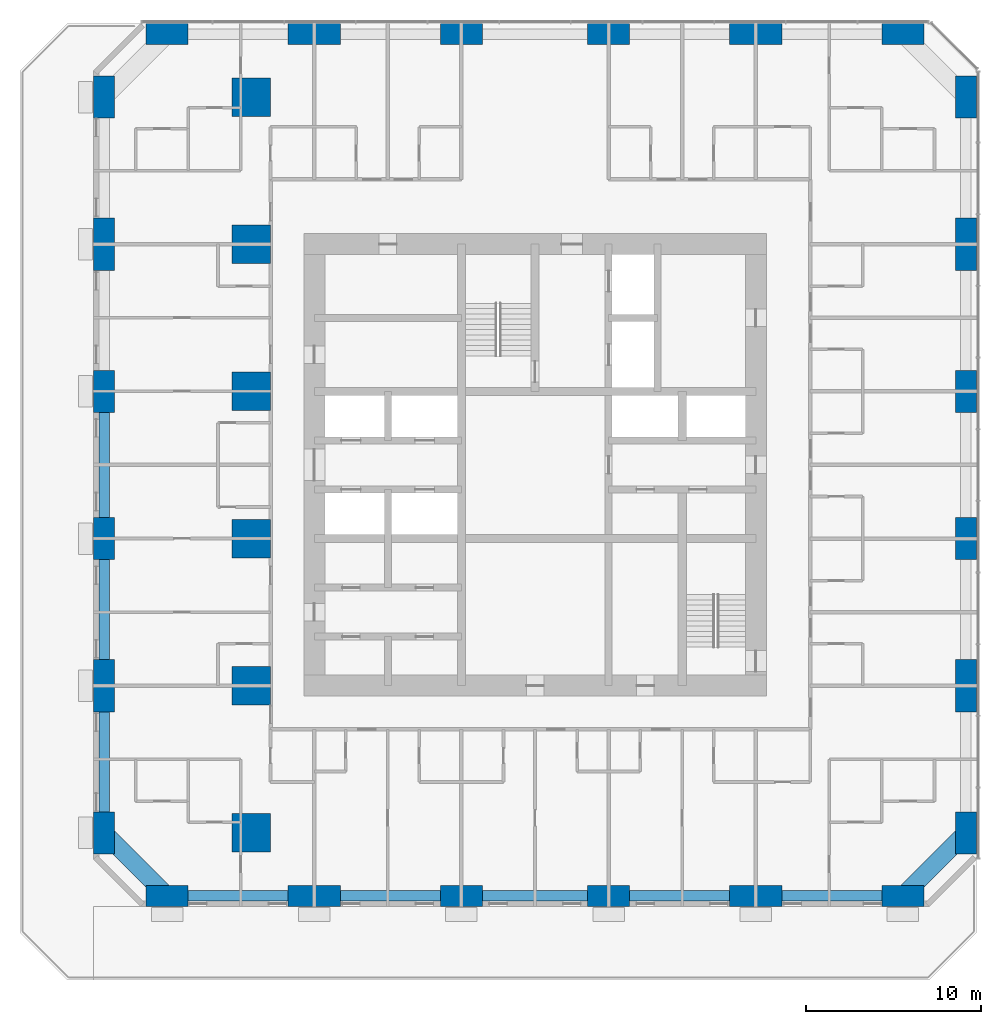
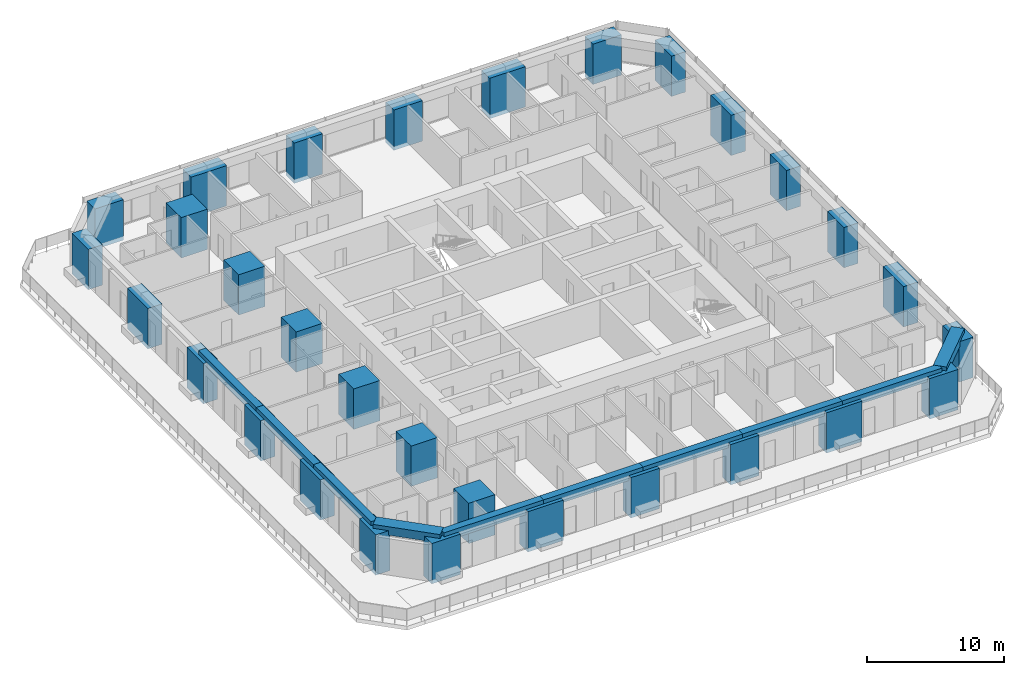
# One storey, part 1 of 14: 30 columns, 10 beams.
"""IFC4 building model written with IfcOpenShell, lengths in metres."""

from ifc_helpers import new_model, si_unit, direction, frame, origin, origin_2d, place, context, subcontext, project, spatial, rectangle, extrude, material, material_profile, profile_set, type_object, element, save


model = new_model("IFC4")

# Units and contexts
model_context = context("Model", 3, precision=1e-05, world=origin(), true_north=direction((0.0, 1.0)))
body_context = subcontext(model_context, "Body", "Model", "MODEL_VIEW")
ifc_project = project(units=[si_unit("LENGTHUNIT", "METRE"), si_unit("AREAUNIT", "SQUARE_METRE"), si_unit("VOLUMEUNIT", "CUBIC_METRE"), si_unit("PLANEANGLEUNIT", "RADIAN"), si_unit("MASSUNIT", "GRAM", prefix="KILO")], contexts=[model_context])

# Site, building, storey
site_placement = place(None, origin())
site = spatial("IfcSite", under=ifc_project, at=site_placement, CompositionType="ELEMENT")
building_placement = place(site_placement, origin())
building = spatial("IfcBuilding", under=site, at=building_placement, Name="Dunama Terrace Hotel", CompositionType="ELEMENT")
storey_placement = place(building_placement, frame((0.0, 0.0, 159.0)))
storey = spatial("IfcBuildingStorey", under=building, at=storey_placement, Name="L40", CompositionType="ELEMENT", Elevation=159.0)

# Columns
ifc_material_1 = material(Name="Concrete C60/75", Category="concrete")
ifc_material_profile_1 = material_profile(ifc_material_1, rectangle(XDim=1.199951171875, YDim=2.39990234375, at=origin_2d()), Name="RC 1200x2400")
ifc_profile_set_1 = profile_set([ifc_material_profile_1], Name="Concrete C60/75")
column_type_1 = type_object("IfcColumnType", Name="Column RC 1200x2400", PredefinedType="COLUMN", material=ifc_profile_set_1)
for number, where, z_axis, x_axis, name in (
    (1, (4.800048828125, 8.39990234375, -0.35009765625), (0.0, 0.0, 1.0), (1.0, 0.0, 0.0), "Column L40 +4.8/+8.4"),
    (2, (4.800048828125, 25.199951171875, -0.35009765625), (0.0, 0.0, 1.0), (1.0, 0.0, 0.0), "Column L40 +4.8/+25.2"),
    (3, (4.800048828125, 33.60009765625, -0.35009765625), (0.0, 0.0, 1.0), (1.0, 0.0, 0.0), "Column L40 +4.8/+33.6"),
    (4, (4.800048828125, 50.39990234375, -0.35009765625), (0.0, 0.0, 1.0), (1.0, 0.0, 0.0), "Column L40 +4.8/+50.4"),
    (5, (54.0, 8.39990234375, -0.35009765625), (0.0, 0.0, 1.0), (1.0, 0.0, 0.0), "Column L40 +54.0/+8.4"),
    (6, (54.0, 25.199951171875, -0.35009765625), (0.0, 0.0, 1.0), (1.0, 0.0, 0.0), "Column L40 +54.0/+25.2"),
    (7, (54.0, 33.60009765625, -0.35009765625), (0.0, 0.0, 1.0), (1.0, 0.0, 0.0), "Column L40 +54.0/+33.6"),
    (8, (54.0, 50.39990234375, -0.35009765625), (0.0, 0.0, 1.0), (1.0, 0.0, 0.0), "Column L40 +54.0/+50.4"),
):
    element("IfcColumn", number, at=place(storey_placement, frame(where, z_axis=z_axis, x_axis=x_axis)), inside=storey, type_object=column_type_1, Name=name, PredefinedType="COLUMN", context=body_context, shape_type="SweptSolid", body=[
        extrude(rectangle(XDim=1.199951171875, YDim=2.39990234375, at=origin_2d()), origin(), (0.0, 0.0, 1.0), 3.60009765625),
    ])
ifc_material_2 = material(Name="Concrete C60/75", Category="concrete")
ifc_material_profile_2 = material_profile(ifc_material_2, rectangle(XDim=1.199951171875, YDim=3.0, at=origin_2d()), Name="RC 1200x3000")
ifc_profile_set_2 = profile_set([ifc_material_profile_2], Name="Concrete C60/75")
column_type_2 = type_object("IfcColumnType", Name="Column RC 1200x3000", PredefinedType="COLUMN", material=ifc_profile_set_2)
for number, where, z_axis, x_axis, name in (
    (9, (4.800048828125, 16.800048828125, -0.35009765625), (0.0, 0.0, 1.0), (1.0, 0.0, 0.0), "Column L40 +4.8/+16.8"),
    (10, (4.800048828125, 42.0, -0.35009765625), (0.0, 0.0, 1.0), (1.0, 0.0, 0.0), "Column L40 +4.8/+42.0"),
    (11, (54.0, 16.800048828125, -0.35009765625), (0.0, 0.0, 1.0), (1.0, 0.0, 0.0), "Column L40 +54.0/+16.8"),
    (12, (54.0, 42.0, -0.35009765625), (0.0, 0.0, 1.0), (1.0, 0.0, 0.0), "Column L40 +54.0/+42.0"),
):
    element("IfcColumn", number, at=place(storey_placement, frame(where, z_axis=z_axis, x_axis=x_axis)), inside=storey, type_object=column_type_2, Name=name, PredefinedType="COLUMN", context=body_context, shape_type="SweptSolid", body=[
        extrude(rectangle(XDim=1.199951171875, YDim=3.0, at=origin_2d()), origin(), (0.0, 0.0, 1.0), 3.60009765625),
    ])
ifc_material_3 = material(Name="Concrete C60/75", Category="concrete")
ifc_material_profile_3 = material_profile(ifc_material_3, rectangle(XDim=2.199951171875, YDim=2.199951171875, at=origin_2d()), Name="RC 2200x2200")
ifc_profile_set_3 = profile_set([ifc_material_profile_3], Name="Concrete C60/75")
column_type_3 = type_object("IfcColumnType", Name="Column RC 2200x2200", PredefinedType="COLUMN", material=ifc_profile_set_3)
for number, where, z_axis, x_axis, name in (
    (13, (13.199951171875, 8.39990234375, -0.35009765625), (0.0, 0.0, 1.0), (1.0, 0.0, 0.0), "Column L40 +13.2/+8.4"),
    (14, (13.199951171875, 16.800048828125, -0.35009765625), (0.0, 0.0, 1.0), (1.0, 0.0, 0.0), "Column L40 +13.2/+16.8"),
    (15, (13.199951171875, 25.199951171875, -0.35009765625), (0.0, 0.0, 1.0), (1.0, 0.0, 0.0), "Column L40 +13.2/+25.2"),
    (16, (13.199951171875, 33.60009765625, -0.35009765625), (0.0, 0.0, 1.0), (1.0, 0.0, 0.0), "Column L40 +13.2/+33.6"),
    (17, (13.199951171875, 42.0, -0.35009765625), (0.0, 0.0, 1.0), (1.0, 0.0, 0.0), "Column L40 +13.2/+42.0"),
    (18, (13.199951171875, 50.39990234375, -0.35009765625), (0.0, 0.0, 1.0), (1.0, 0.0, 0.0), "Column L40 +13.2/+50.4"),
):
    element("IfcColumn", number, at=place(storey_placement, frame(where, z_axis=z_axis, x_axis=x_axis)), inside=storey, type_object=column_type_3, Name=name, PredefinedType="COLUMN", context=body_context, shape_type="SweptSolid", body=[
        extrude(rectangle(XDim=2.199951171875, YDim=2.199951171875, at=origin_2d()), origin(), (0.0, 0.0, 1.0), 3.60009765625),
    ])
ifc_material_4 = material(Name="Concrete C60/75", Category="concrete")
ifc_material_profile_4 = material_profile(ifc_material_4, rectangle(XDim=2.39990234375, YDim=1.199951171875, at=origin_2d()), Name="RC 2400x1200")
ifc_profile_set_4 = profile_set([ifc_material_profile_4], Name="Concrete C60/75")
column_type_4 = type_object("IfcColumnType", Name="Column RC 2400x1200", PredefinedType="COLUMN", material=ifc_profile_set_4)
for number, where, z_axis, x_axis, name in (
    (19, (8.39990234375, 4.800048828125, -0.35009765625), (0.0, 0.0, 1.0), (1.0, 0.0, 0.0), "Column L40 +8.4/+4.8"),
    (20, (8.39990234375, 54.0, -0.35009765625), (0.0, 0.0, 1.0), (1.0, 0.0, 0.0), "Column L40 +8.4/+54.0"),
    (21, (25.199951171875, 4.800048828125, -0.35009765625), (0.0, 0.0, 1.0), (1.0, 0.0, 0.0), "Column L40 +25.2/+4.8"),
    (22, (25.199951171875, 54.0, -0.35009765625), (0.0, 0.0, 1.0), (1.0, 0.0, 0.0), "Column L40 +25.2/+54.0"),
    (23, (33.60009765625, 4.800048828125, -0.35009765625), (0.0, 0.0, 1.0), (1.0, 0.0, 0.0), "Column L40 +33.6/+4.8"),
    (24, (33.60009765625, 54.0, -0.35009765625), (0.0, 0.0, 1.0), (1.0, 0.0, 0.0), "Column L40 +33.6/+54.0"),
    (25, (50.39990234375, 4.800048828125, -0.35009765625), (0.0, 0.0, 1.0), (1.0, 0.0, 0.0), "Column L40 +50.4/+4.8"),
    (26, (50.39990234375, 54.0, -0.35009765625), (0.0, 0.0, 1.0), (1.0, 0.0, 0.0), "Column L40 +50.4/+54.0"),
):
    element("IfcColumn", number, at=place(storey_placement, frame(where, z_axis=z_axis, x_axis=x_axis)), inside=storey, type_object=column_type_4, Name=name, PredefinedType="COLUMN", context=body_context, shape_type="SweptSolid", body=[
        extrude(rectangle(XDim=2.39990234375, YDim=1.199951171875, at=origin_2d()), origin(), (0.0, 0.0, 1.0), 3.60009765625),
    ])
ifc_material_5 = material(Name="Concrete C60/75", Category="concrete")
ifc_material_profile_5 = material_profile(ifc_material_5, rectangle(XDim=3.0, YDim=1.199951171875, at=origin_2d()), Name="RC 3000x1200")
ifc_profile_set_5 = profile_set([ifc_material_profile_5], Name="Concrete C60/75")
column_type_5 = type_object("IfcColumnType", Name="Column RC 3000x1200", PredefinedType="COLUMN", material=ifc_profile_set_5)
for number, where, z_axis, x_axis, name in (
    (27, (16.800048828125, 4.800048828125, -0.35009765625), (0.0, 0.0, 1.0), (1.0, 0.0, 0.0), "Column L40 +16.8/+4.8"),
    (28, (16.800048828125, 54.0, -0.35009765625), (0.0, 0.0, 1.0), (1.0, 0.0, 0.0), "Column L40 +16.8/+54.0"),
    (29, (42.0, 4.800048828125, -0.35009765625), (0.0, 0.0, 1.0), (1.0, 0.0, 0.0), "Column L40 +42.0/+4.8"),
    (30, (42.0, 54.0, -0.35009765625), (0.0, 0.0, 1.0), (1.0, 0.0, 0.0), "Column L40 +42.0/+54.0"),
):
    element("IfcColumn", number, at=place(storey_placement, frame(where, z_axis=z_axis, x_axis=x_axis)), inside=storey, type_object=column_type_5, Name=name, PredefinedType="COLUMN", context=body_context, shape_type="SweptSolid", body=[
        extrude(rectangle(XDim=3.0, YDim=1.199951171875, at=origin_2d()), origin(), (0.0, 0.0, 1.0), 3.60009765625),
    ])

# Beams
ifc_material_6 = material(Name="Concrete C50/60", Category="concrete")
ifc_material_profile_6 = material_profile(ifc_material_6, rectangle(XDim=1.0, YDim=0.75, at=origin_2d()), Name="RC 1000x750")
ifc_profile_set_6 = profile_set([ifc_material_profile_6], Name="Concrete C50/60")
beam_type_1 = type_object("IfcBeamType", Name="Edge beam RC 1000x750", PredefinedType="SPANDREL", material=ifc_profile_set_6)
for number, where, z_axis, x_axis, name in (
    (31, (8.39990234375, 4.800048828125, 3.22509765625), (-0.707106781187, 0.707106781187, 0.0), (-0.707106781187, -0.707106781187, 0.0), "Corner edge beam under L41"),
    (32, (50.39990234375, 4.800048828125, 3.22509765625), (0.707130757816, 0.707082803744, 0.0), (-0.707082803744, 0.707130757816, 0.0), "Corner edge beam under L41"),
):
    element("IfcBeam", number, at=place(storey_placement, frame(where, z_axis=z_axis, x_axis=x_axis)), inside=storey, type_object=beam_type_1, Name=name, PredefinedType="SPANDREL", context=body_context, shape_type="SweptSolid", body=[
        extrude(rectangle(XDim=1.0, YDim=0.75, at=origin_2d()), origin(), (0.0, 0.0, 1.0), 5.091064453125),
    ])
ifc_material_7 = material(Name="Concrete C40/50", Category="concrete")
ifc_material_profile_7 = material_profile(ifc_material_7, rectangle(XDim=0.60009765625, YDim=0.800048828125, at=origin_2d()), Name="RC 600x800")
ifc_profile_set_7 = profile_set([ifc_material_profile_7], Name="Concrete C40/50")
beam_type_2 = type_object("IfcBeamType", Name="Edge beam RC 600x800", PredefinedType="SPANDREL", material=ifc_profile_set_7)
beam_1_placement = place(storey_placement, frame((4.800048828125, 8.39990234375, 3.199951171875), z_axis=(0.0, 1.0, 0.0), x_axis=(-1.0, 0.0, 0.0)))
element("IfcBeam", 33, at=beam_1_placement, inside=storey, type_object=beam_type_2, Name="Edge beam under L41", PredefinedType="SPANDREL", context=body_context, shape_type="SweptSolid", body=[
    extrude(rectangle(XDim=0.60009765625, YDim=0.800048828125, at=origin_2d()), origin(), (0.0, 0.0, 1.0), 8.400146484375),
])
beam_2_placement = place(storey_placement, frame((4.800048828125, 16.800048828125, 3.199951171875), z_axis=(0.0, 1.0, 0.0), x_axis=(-1.0, 0.0, 0.0)))
element("IfcBeam", 34, at=beam_2_placement, inside=storey, type_object=beam_type_2, Name="Edge beam under L41", PredefinedType="SPANDREL", context=body_context, shape_type="SweptSolid", body=[
    extrude(rectangle(XDim=0.60009765625, YDim=0.800048828125, at=origin_2d()), origin(), (0.0, 0.0, 1.0), 8.39990234375),
])
for number, where, z_axis, x_axis, name in (
    (35, (4.800048828125, 25.199951171875, 3.199951171875), (0.0, 1.0, 0.0), (-1.0, 0.0, 0.0), "Edge beam under L41"),
    (36, (8.39990234375, 4.800048828125, 3.199951171875), (1.0, 0.0, 0.0), (0.0, 1.0, 0.0), "Edge beam under L41"),
):
    element("IfcBeam", number, at=place(storey_placement, frame(where, z_axis=z_axis, x_axis=x_axis)), inside=storey, type_object=beam_type_2, Name=name, PredefinedType="SPANDREL", context=body_context, shape_type="SweptSolid", body=[
        extrude(rectangle(XDim=0.60009765625, YDim=0.800048828125, at=origin_2d()), origin(), (0.0, 0.0, 1.0), 8.400146484375),
    ])
beam_3_placement = place(storey_placement, frame((16.800048828125, 4.800048828125, 3.199951171875), z_axis=(1.0, 0.0, 0.0), x_axis=(0.0, 1.0, 0.0)))
element("IfcBeam", 37, at=beam_3_placement, inside=storey, type_object=beam_type_2, Name="Edge beam under L41", PredefinedType="SPANDREL", context=body_context, shape_type="SweptSolid", body=[
    extrude(rectangle(XDim=0.60009765625, YDim=0.800048828125, at=origin_2d()), origin(), (0.0, 0.0, 1.0), 8.39990234375),
])
beam_4_placement = place(storey_placement, frame((25.199951171875, 4.800048828125, 3.199951171875), z_axis=(1.0, 0.0, 0.0), x_axis=(0.0, 1.0, 0.0)))
element("IfcBeam", 38, at=beam_4_placement, inside=storey, type_object=beam_type_2, Name="Edge beam under L41", PredefinedType="SPANDREL", context=body_context, shape_type="SweptSolid", body=[
    extrude(rectangle(XDim=0.60009765625, YDim=0.800048828125, at=origin_2d()), origin(), (0.0, 0.0, 1.0), 8.400146484375),
])
for number, where, z_axis, x_axis, name in (
    (39, (33.60009765625, 4.800048828125, 3.199951171875), (1.0, 0.0, 0.0), (0.0, 1.0, 0.0), "Edge beam under L41"),
    (40, (42.0, 4.800048828125, 3.199951171875), (1.0, 0.0, 0.0), (0.0, 1.0, 0.0), "Edge beam under L41"),
):
    element("IfcBeam", number, at=place(storey_placement, frame(where, z_axis=z_axis, x_axis=x_axis)), inside=storey, type_object=beam_type_2, Name=name, PredefinedType="SPANDREL", context=body_context, shape_type="SweptSolid", body=[
        extrude(rectangle(XDim=0.60009765625, YDim=0.800048828125, at=origin_2d()), origin(), (0.0, 0.0, 1.0), 8.39990234375),
    ])

save(model, "model.ifc")
